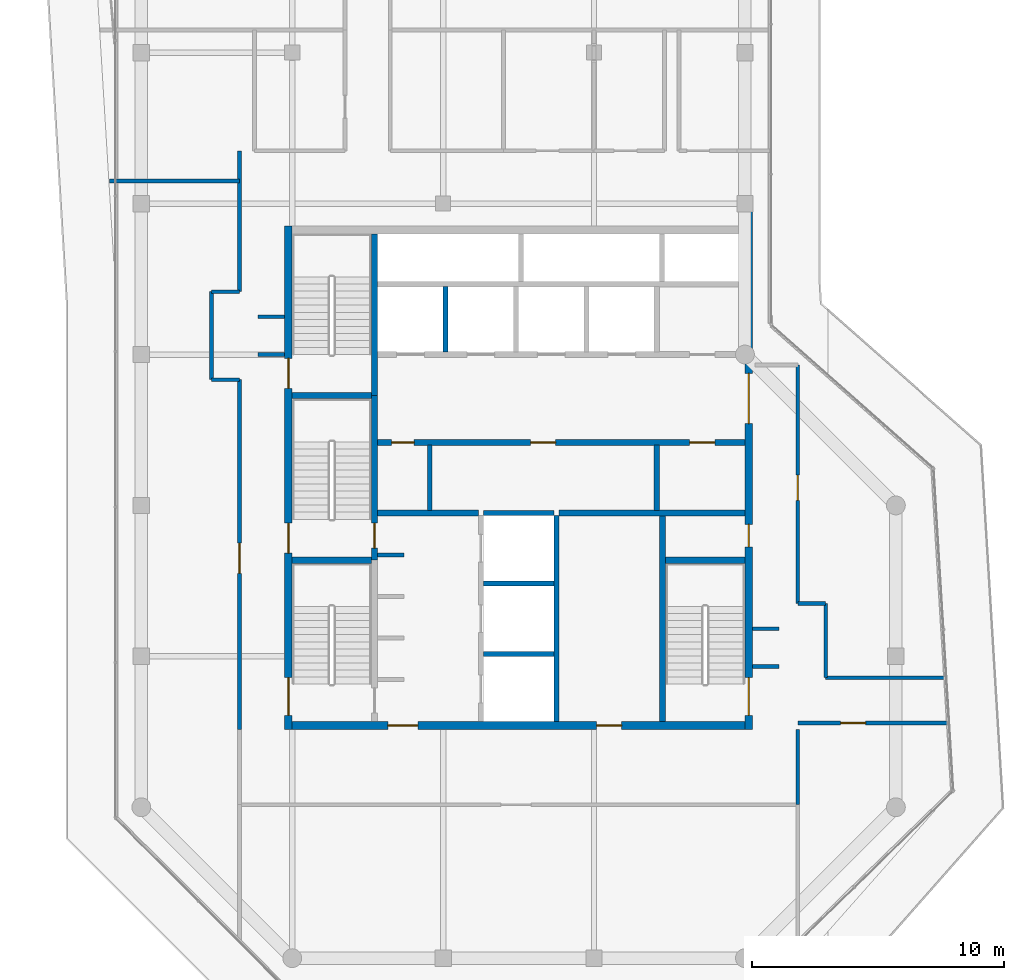
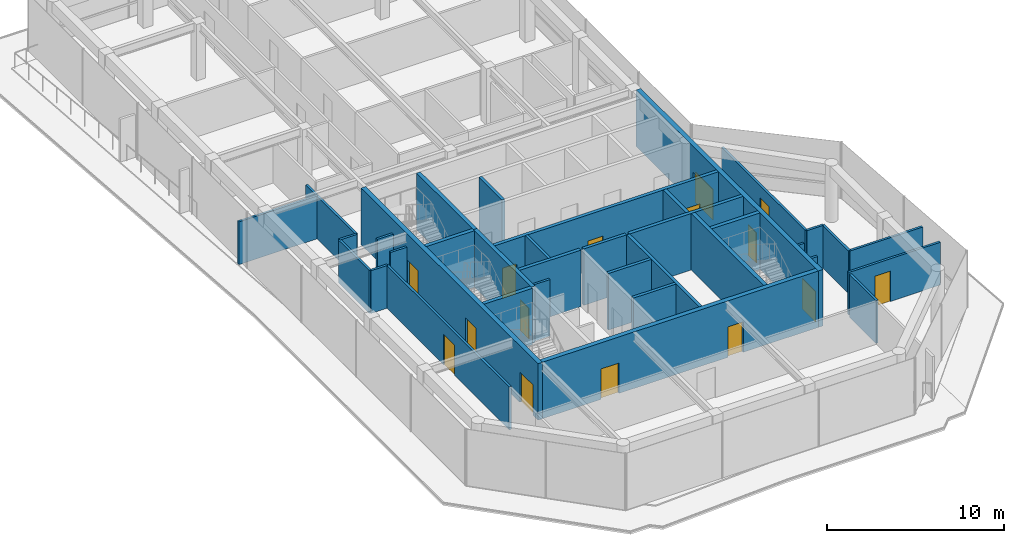
# One storey, part 18 of 22: 36 walls, 15 doors, 15 openings.
"""IFC4 building model written with IfcOpenShell, lengths in metres."""

from ifc_helpers import new_model, si_unit, direction, frame, frame_2d, origin, place, context, subcontext, project, spatial, rectangle, extrude, material, layer, layer_set, type_object, element, fill, save


model = new_model("IFC4")

# Units and contexts
model_context = context("Model", 3, precision=1e-05, world=origin(), true_north=direction((0.0, 1.0)))
body_context = subcontext(model_context, "Body", "Model", "MODEL_VIEW")
ifc_project = project(units=[si_unit("LENGTHUNIT", "METRE"), si_unit("AREAUNIT", "SQUARE_METRE"), si_unit("VOLUMEUNIT", "CUBIC_METRE"), si_unit("PLANEANGLEUNIT", "RADIAN"), si_unit("MASSUNIT", "GRAM", prefix="KILO")], contexts=[model_context])

# Site, building, storey
site_placement = place(None, origin())
site = spatial("IfcSite", under=ifc_project, at=site_placement, CompositionType="ELEMENT")
building_placement = place(site_placement, origin())
building = spatial("IfcBuilding", under=site, at=building_placement, Name="Welwitschia Terrace Campus", CompositionType="ELEMENT")
storey_placement = place(building_placement, frame((0.0, 0.0, 318.800048828125)))
storey = spatial("IfcBuildingStorey", under=building, at=storey_placement, Name="L71", CompositionType="ELEMENT", Elevation=318.800048828125)

# Walls
ifc_material_1 = material(Name="Concrete C32/40", Category="concrete")
ifc_layer_1 = layer(ifc_material_1, 0.175048828125)
ifc_layer_set_1 = layer_set([ifc_layer_1], Name="Concrete C32/40")
wall_type_1 = type_object("IfcWallType", Name="Core partition 175 Concrete C32/40", PredefinedType="PARTITIONING", material=ifc_layer_set_1)
wall_1_placement = place(storey_placement, frame((11.47509765625, 13.800048828125, 0.0), z_axis=(0.0, 0.0, 1.0), x_axis=(0.0, 1.0, 0.0)))
element("IfcWall", 1, at=wall_1_placement, inside=storey, type_object=wall_type_1, Name="Core partition", PredefinedType="PARTITIONING", context=body_context, shape_type="SweptSolid", body=[
    extrude(rectangle(XDim=2.599853515625, YDim=0.175048828125, at=frame_2d((1.2998046875, 0.0))), origin(), (0.0, 0.0, 1.0), 3.89990234375),
])
ifc_material_2 = material(Name="Concrete C32/40", Category="concrete")
ifc_layer_2 = layer(ifc_material_2, 0.22509765625)
ifc_layer_set_2 = layer_set([ifc_layer_2], Name="Concrete C32/40")
wall_type_2 = type_object("IfcWallType", Name="Core partition 225 Concrete C32/40", PredefinedType="PARTITIONING", material=ifc_layer_set_2)
wall_2_placement = place(storey_placement, frame((9.39990234375, 13.699951171875, 0.0), z_axis=(0.0, 0.0, 1.0), x_axis=(1.0, 0.0, 0.0)))
element("IfcWall", 2, at=wall_2_placement, inside=storey, type_object=wall_type_2, Name="Core partition", PredefinedType="PARTITIONING", context=body_context, shape_type="SweptSolid", body=[
    extrude(rectangle(XDim=4.0, YDim=0.22509765625, at=frame_2d((2.0, 0.0))), origin(), (0.0, 0.0, 1.0), 3.89990234375),
])
wall_3_placement = place(storey_placement, frame((16.60009765625, 13.699951171875, 0.0), z_axis=(0.0, 0.0, 1.0), x_axis=(1.0, 0.0, 0.0)))
element("IfcWall", 3, at=wall_3_placement, inside=storey, type_object=wall_type_2, Name="Core partition", PredefinedType="PARTITIONING", context=body_context, shape_type="SweptSolid", body=[
    extrude(rectangle(XDim=7.39990234375, YDim=0.22509765625, at=frame_2d((3.699951171875, 0.0))), origin(), (0.0, 0.0, 1.0), 3.89990234375),
])

# Wall, openings, doors
wall_4_placement = place(storey_placement, frame((9.39990234375, 16.5, 0.0), z_axis=(0.0, 0.0, 1.0), x_axis=(1.0, 0.0, 0.0)))
wall_4 = element("IfcWall", 4, at=wall_4_placement, inside=storey, type_object=wall_type_2, Name="Core partition", PredefinedType="PARTITIONING", context=body_context, shape_type="SweptSolid", body=[
    extrude(rectangle(XDim=14.60009765625, YDim=0.22509765625, at=frame_2d((7.300048828125, 0.0))), origin(), (0.0, 0.0, 1.0), 3.89990234375),
])
opening_1_placement = place(wall_4_placement, frame((0.550048828125, 0.0, 0.0)))
opening_1 = element("IfcOpeningElement", 5, at=opening_1_placement, cuts=wall_4, Name="Opening DR09", PredefinedType="OPENING", context=body_context, shape_type="SweptSolid", body=[
    extrude(rectangle(XDim=0.89990234375, YDim=2.10009765625, at=frame_2d((0.449951171875, 1.050048828125))), frame((0.0, 0.12255859375, 0.0), z_axis=(0.0, -1.0, 0.0), x_axis=(1.0, 0.0, 0.0)), (0.0, 0.0, 1.0), 0.2451171875),
])
opening_2_placement = place(wall_4_placement, frame((6.074951171875, 0.0, 0.0)))
opening_2 = element("IfcOpeningElement", 6, at=opening_2_placement, cuts=wall_4, Name="Opening DR10", PredefinedType="OPENING", context=body_context, shape_type="SweptSolid", body=[
    extrude(rectangle(XDim=1.0, YDim=2.10009765625, at=frame_2d((0.5, 1.050048828125))), frame((0.0, 0.12255859375, 0.0), z_axis=(0.0, -1.0, 0.0), x_axis=(1.0, 0.0, 0.0)), (0.0, 0.0, 1.0), 0.2451171875),
])
opening_3_placement = place(wall_4_placement, frame((12.39990234375, 0.0, 0.0)))
opening_3 = element("IfcOpeningElement", 7, at=opening_3_placement, cuts=wall_4, Name="Opening DR10", PredefinedType="OPENING", context=body_context, shape_type="SweptSolid", body=[
    extrude(rectangle(XDim=1.0, YDim=2.10009765625, at=frame_2d((0.5, 1.050048828125))), frame((0.0, 0.12255859375, 0.0), z_axis=(0.0, -1.0, 0.0), x_axis=(1.0, 0.0, 0.0)), (0.0, 0.0, 1.0), 0.2451171875),
])
ifc_material_3 = material(Name="Steel S275", Category="steel")
door_type_1 = type_object("IfcDoorType", Name="Core door DR09", OperationType="SINGLE_SWING_LEFT", PredefinedType="DOOR", material=ifc_material_3)
door_1_placement = place(opening_1_placement, origin())
door_1 = element("IfcDoor", 8, at=door_1_placement, inside=storey, type_object=door_type_1, Name="Door BAYL1-D", OperationType="SINGLE_SWING_LEFT", OverallHeight=2.10009765625, OverallWidth=0.89990234375, PredefinedType="DOOR", context=body_context, shape_type="SweptSolid", body=[
    extrude(rectangle(XDim=0.89990234375, YDim=2.10009765625, at=frame_2d((0.449951171875, 1.050048828125))), frame((0.0, 0.02490234375, 0.0), z_axis=(0.0, -1.0, 0.0), x_axis=(1.0, 0.0, 0.0)), (0.0, 0.0, 1.0), 0.050048828125),
])
fill(opening_1, door_1)
ifc_material_4 = material(Name="Steel S275", Category="steel")
door_type_2 = type_object("IfcDoorType", Name="Core door DR10", OperationType="SINGLE_SWING_LEFT", PredefinedType="DOOR", material=ifc_material_4)
door_2_placement = place(opening_2_placement, origin())
door_2 = element("IfcDoor", 9, at=door_2_placement, inside=storey, type_object=door_type_2, Name="Door BAYL2-D", OperationType="SINGLE_SWING_LEFT", OverallHeight=2.10009765625, OverallWidth=1.0, PredefinedType="DOOR", context=body_context, shape_type="SweptSolid", body=[
    extrude(rectangle(XDim=1.0, YDim=2.10009765625, at=frame_2d((0.5, 1.050048828125))), frame((0.0, 0.02490234375, 0.0), z_axis=(0.0, -1.0, 0.0), x_axis=(1.0, 0.0, 0.0)), (0.0, 0.0, 1.0), 0.050048828125),
])
fill(opening_2, door_2)
door_3_placement = place(opening_3_placement, origin())
door_3 = element("IfcDoor", 10, at=door_3_placement, inside=storey, type_object=door_type_2, Name="Door EL-D", OperationType="SINGLE_SWING_RIGHT", OverallHeight=2.10009765625, OverallWidth=1.0, PredefinedType="DOOR", context=body_context, shape_type="SweptSolid", body=[
    extrude(rectangle(XDim=1.0, YDim=2.10009765625, at=frame_2d((0.5, 1.050048828125))), frame((0.0, 0.02490234375, 0.0), z_axis=(0.0, -1.0, 0.0), x_axis=(1.0, 0.0, 0.0)), (0.0, 0.0, 1.0), 0.050048828125),
])
fill(opening_3, door_3)

# Walls
wall_5_placement = place(storey_placement, frame((20.5, 13.800048828125, 0.0), z_axis=(0.0, 0.0, 1.0), x_axis=(0.0, 1.0, 0.0)))
element("IfcWall", 11, at=wall_5_placement, inside=storey, type_object=wall_type_2, Name="Core partition", PredefinedType="PARTITIONING", context=body_context, shape_type="SweptSolid", body=[
    extrude(rectangle(XDim=2.599853515625, YDim=0.22509765625, at=frame_2d((1.2998046875, 0.0))), origin(), (0.0, 0.0, 1.0), 3.89990234375),
])
ifc_material_5 = material(Name="Concrete C50/60", Category="concrete")
ifc_layer_3 = layer(ifc_material_5, 0.14990234375)
ifc_layer_set_3 = layer_set([ifc_layer_3], Name="Concrete C50/60")
wall_type_3 = type_object("IfcWallType", Name="Core wall 150 Concrete C50/60", PredefinedType="SHEAR", material=ifc_layer_set_3)
wall_6_placement = place(storey_placement, frame((9.39990234375, 12.02490234375, 0.0), z_axis=(0.0, 0.0, 1.0), x_axis=(1.0, 0.0, 0.0)))
element("IfcWall", 12, at=wall_6_placement, inside=storey, type_object=wall_type_3, Name="Core wall", PredefinedType="SHEAR", context=body_context, shape_type="SweptSolid", body=[
    extrude(rectangle(XDim=1.050048828125, YDim=0.14990234375, at=frame_2d((0.52490234375, 0.0))), origin(), (0.0, 0.0, 1.0), 3.89990234375),
])
ifc_material_6 = material(Name="Concrete C50/60", Category="concrete")
ifc_layer_4 = layer(ifc_material_6, 0.199951171875)
ifc_layer_set_4 = layer_set([ifc_layer_4], Name="Concrete C50/60")
wall_type_4 = type_object("IfcWallType", Name="Core wall 200 Concrete C50/60", PredefinedType="SHEAR", material=ifc_layer_set_4)
for number, where, z_axis, x_axis, name in (
    (13, (13.60009765625, 8.10009765625, 0.0), (0.0, 0.0, 1.0), (1.0, 0.0, 0.0), "Core wall"),
    (14, (13.60009765625, 10.89990234375, 0.0), (0.0, 0.0, 1.0), (1.0, 0.0, 0.0), "Core wall"),
    (15, (13.60009765625, 13.699951171875, 0.0), (0.0, 0.0, 1.0), (1.0, 0.0, 0.0), "Core wall"),
):
    element("IfcWall", number, at=place(storey_placement, frame(where, z_axis=z_axis, x_axis=x_axis)), inside=storey, type_object=wall_type_4, Name=name, PredefinedType="SHEAR", context=body_context, shape_type="SweptSolid", body=[
        extrude(rectangle(XDim=2.7998046875, YDim=0.199951171875, at=frame_2d((1.39990234375, 0.0))), origin(), (0.0, 0.0, 1.0), 3.89990234375),
    ])
wall_7_placement = place(storey_placement, frame((16.5, 5.39990234375, 0.0), z_axis=(0.0, 0.0, 1.0), x_axis=(0.0, 1.0, 0.0)))
element("IfcWall", 16, at=wall_7_placement, inside=storey, type_object=wall_type_4, Name="Core wall", PredefinedType="SHEAR", context=body_context, shape_type="SweptSolid", body=[
    extrude(rectangle(XDim=8.2001953125, YDim=0.199951171875, at=frame_2d((4.10009765625, 0.0))), origin(), (0.0, 0.0, 1.0), 3.89990234375),
])
ifc_material_7 = material(Name="Concrete C50/60", Category="concrete")
ifc_layer_5 = layer(ifc_material_7, 0.25)
ifc_layer_set_5 = layer_set([ifc_layer_5], Name="Concrete C50/60")
wall_type_5 = type_object("IfcWallType", Name="Core wall 250 Concrete C50/60", PredefinedType="SHEAR", material=ifc_layer_set_5)
for number, where, z_axis, x_axis, name in (
    (17, (6.0, 11.824951171875, 0.0), (0.0, 0.0, 1.0), (1.0, 0.0, 0.0), "Core wall"),
    (18, (20.85009765625, 11.824951171875, 0.0), (0.0, 0.0, 1.0), (1.0, 0.0, 0.0), "Core wall"),
    (19, (6.0, 18.375, 0.0), (0.0, 0.0, 1.0), (1.0, 0.0, 0.0), "Core wall"),
):
    element("IfcWall", number, at=place(storey_placement, frame(where, z_axis=z_axis, x_axis=x_axis)), inside=storey, type_object=wall_type_5, Name=name, PredefinedType="SHEAR", context=body_context, shape_type="SweptSolid", body=[
        extrude(rectangle(XDim=3.14990234375, YDim=0.25, at=frame_2d((1.574951171875, 0.0))), origin(), (0.0, 0.0, 1.0), 3.89990234375),
    ])

# Wall, opening, door
wall_8_placement = place(storey_placement, frame((9.27490234375, 18.375, 0.0), z_axis=(0.0, 0.0, 1.0), x_axis=(0.0, -1.0, 0.0)))
wall_8 = element("IfcWall", 20, at=wall_8_placement, inside=storey, type_object=wall_type_5, Name="Core wall", PredefinedType="SHEAR", context=body_context, shape_type="SweptSolid", body=[
    extrude(rectangle(XDim=6.550048828125, YDim=0.25, at=frame_2d((3.27490234375, 0.0))), origin(), (0.0, 0.0, 1.0), 3.89990234375),
])
opening_4_placement = place(wall_8_placement, frame((5.074951171875, 0.0, 0.0)))
opening_4 = element("IfcOpeningElement", 21, at=opening_4_placement, cuts=wall_8, Name="Opening DS10", PredefinedType="OPENING", context=body_context, shape_type="SweptSolid", body=[
    extrude(rectangle(XDim=1.0, YDim=2.10009765625, at=frame_2d((0.5, 1.050048828125))), frame((0.0, 0.135009765625, 0.0), z_axis=(0.0, -1.0, 0.0), x_axis=(1.0, 0.0, 0.0)), (0.0, 0.0, 1.0), 0.27001953125),
])
ifc_material_8 = material(Name="Steel S275", Category="steel")
door_type_3 = type_object("IfcDoorType", Name="Core door DS10", OperationType="SINGLE_SWING_LEFT", PredefinedType="DOOR", material=ifc_material_8)
door_4_placement = place(opening_4_placement, origin())
door_4 = element("IfcDoor", 22, at=door_4_placement, inside=storey, type_object=door_type_3, Name="Door S3-FL", OperationType="SINGLE_SWING_RIGHT", OverallHeight=2.10009765625, OverallWidth=1.0, PredefinedType="DOOR", context=body_context, shape_type="SweptSolid", body=[
    extrude(rectangle(XDim=1.0, YDim=2.10009765625, at=frame_2d((0.5, 1.050048828125))), frame((0.0, 0.02490234375, 0.0), z_axis=(0.0, -1.0, 0.0), x_axis=(1.0, 0.0, 0.0)), (0.0, 0.0, 1.0), 0.050048828125),
])
fill(opening_4, door_4)

# Walls
wall_9_placement = place(storey_placement, frame((9.27490234375, 18.375, 0.0), z_axis=(0.0, 0.0, 1.0), x_axis=(0.0, 1.0, 0.0)))
element("IfcWall", 23, at=wall_9_placement, inside=storey, type_object=wall_type_5, Name="Core wall", PredefinedType="SHEAR", context=body_context, shape_type="SweptSolid", body=[
    extrude(rectangle(XDim=6.425048828125, YDim=0.25, at=frame_2d((3.21240234375, 0.0))), origin(), (0.0, 0.0, 1.0), 3.89990234375),
])
wall_10_placement = place(storey_placement, frame((20.72509765625, 5.39990234375, 0.0), z_axis=(0.0, 0.0, 1.0), x_axis=(0.0, 1.0, 0.0)))
element("IfcWall", 24, at=wall_10_placement, inside=storey, type_object=wall_type_5, Name="Core wall", PredefinedType="SHEAR", context=body_context, shape_type="SweptSolid", body=[
    extrude(rectangle(XDim=8.2001953125, YDim=0.25, at=frame_2d((4.10009765625, 0.0))), origin(), (0.0, 0.0, 1.0), 3.89990234375),
])

# Wall, openings, doors
ifc_material_9 = material(Name="Concrete C50/60", Category="concrete")
ifc_layer_6 = layer(ifc_material_9, 0.300048828125)
ifc_layer_set_6 = layer_set([ifc_layer_6], Name="Concrete C50/60")
wall_type_6 = type_object("IfcWallType", Name="Core wall 300 Concrete C50/60", PredefinedType="SHEAR", material=ifc_layer_set_6)
wall_11_placement = place(storey_placement, frame((5.85009765625, 5.10009765625, 0.0), z_axis=(0.0, 0.0, 1.0), x_axis=(0.0, 1.0, 0.0)))
wall_11 = element("IfcWall", 25, at=wall_11_placement, inside=storey, type_object=wall_type_6, Name="Core outer wall", PredefinedType="SHEAR", context=body_context, shape_type="SweptSolid", body=[
    extrude(rectangle(XDim=20.0, YDim=0.300048828125, at=frame_2d((10.0, 0.0))), origin(), (0.0, 0.0, 1.0), 3.89990234375),
])
opening_5_placement = place(wall_11_placement, frame((0.550048828125, 0.0, 0.0)))
opening_5 = element("IfcOpeningElement", 26, at=opening_5_placement, cuts=wall_11, Name="Opening DS15", PredefinedType="OPENING", context=body_context, shape_type="SweptSolid", body=[
    extrude(rectangle(XDim=1.5, YDim=2.10009765625, at=frame_2d((0.75, 1.050048828125))), frame((0.0, 0.159912109375, 0.0), z_axis=(0.0, -1.0, 0.0), x_axis=(1.0, 0.0, 0.0)), (0.0, 0.0, 1.0), 0.320068359375),
])
opening_6_placement = place(wall_11_placement, frame((7.0, 0.0, 0.0)))
opening_6 = element("IfcOpeningElement", 27, at=opening_6_placement, cuts=wall_11, Name="Opening DS12", PredefinedType="OPENING", context=body_context, shape_type="SweptSolid", body=[
    extrude(rectangle(XDim=1.199951171875, YDim=2.10009765625, at=frame_2d((0.60009765625, 1.050048828125))), frame((0.0, 0.159912109375, 0.0), z_axis=(0.0, -1.0, 0.0), x_axis=(1.0, 0.0, 0.0)), (0.0, 0.0, 1.0), 0.320068359375),
])
opening_7_placement = place(wall_11_placement, frame((13.550048828125, 0.0, 0.0)))
opening_7 = element("IfcOpeningElement", 28, at=opening_7_placement, cuts=wall_11, Name="Opening DS12", PredefinedType="OPENING", context=body_context, shape_type="SweptSolid", body=[
    extrude(rectangle(XDim=1.199951171875, YDim=2.10009765625, at=frame_2d((0.60009765625, 1.050048828125))), frame((0.0, 0.159912109375, 0.0), z_axis=(0.0, -1.0, 0.0), x_axis=(1.0, 0.0, 0.0)), (0.0, 0.0, 1.0), 0.320068359375),
])
ifc_material_10 = material(Name="Steel S275", Category="steel")
door_type_4 = type_object("IfcDoorType", Name="Core door DS12", OperationType="SINGLE_SWING_LEFT", PredefinedType="DOOR", material=ifc_material_10)
door_5_placement = place(opening_6_placement, origin())
door_5 = element("IfcDoor", 29, at=door_5_placement, inside=storey, type_object=door_type_4, Name="Door S3-out", OperationType="SINGLE_SWING_LEFT", OverallHeight=2.10009765625, OverallWidth=1.199951171875, PredefinedType="DOOR", context=body_context, shape_type="SweptSolid", body=[
    extrude(rectangle(XDim=1.199951171875, YDim=2.10009765625, at=frame_2d((0.60009765625, 1.050048828125))), frame((0.0, 0.02490234375, 0.0), z_axis=(0.0, -1.0, 0.0), x_axis=(1.0, 0.0, 0.0)), (0.0, 0.0, 1.0), 0.050048828125),
])
fill(opening_6, door_5)
door_6_placement = place(opening_7_placement, origin())
door_6 = element("IfcDoor", 30, at=door_6_placement, inside=storey, type_object=door_type_4, Name="Door S4-out", OperationType="SINGLE_SWING_RIGHT", OverallHeight=2.10009765625, OverallWidth=1.199951171875, PredefinedType="DOOR", context=body_context, shape_type="SweptSolid", body=[
    extrude(rectangle(XDim=1.199951171875, YDim=2.10009765625, at=frame_2d((0.60009765625, 1.050048828125))), frame((0.0, 0.02490234375, 0.0), z_axis=(0.0, -1.0, 0.0), x_axis=(1.0, 0.0, 0.0)), (0.0, 0.0, 1.0), 0.050048828125),
])
fill(opening_7, door_6)
ifc_material_11 = material(Name="Steel S275", Category="steel")
door_type_5 = type_object("IfcDoorType", Name="Core door DS15", OperationType="DOUBLE_DOOR_SINGLE_SWING", PredefinedType="DOOR", material=ifc_material_11)
door_7_placement = place(opening_5_placement, origin())
door_7 = element("IfcDoor", 31, at=door_7_placement, inside=storey, type_object=door_type_5, Name="Door S1-out", OperationType="DOUBLE_DOOR_SINGLE_SWING", OverallHeight=2.10009765625, OverallWidth=1.5, PredefinedType="DOOR", context=body_context, shape_type="SweptSolid", body=[
    extrude(rectangle(XDim=1.5, YDim=2.10009765625, at=frame_2d((0.75, 1.050048828125))), frame((0.0, 0.02490234375, 0.0), z_axis=(0.0, -1.0, 0.0), x_axis=(1.0, 0.0, 0.0)), (0.0, 0.0, 1.0), 0.050048828125),
])
fill(opening_5, door_7)

wall_12_placement = place(storey_placement, frame((24.14990234375, 25.705078125, 0.0), z_axis=(0.0, 0.0, 1.0), x_axis=(0.0, -1.0, 0.0)))
wall_12 = element("IfcWall", 32, at=wall_12_placement, inside=storey, type_object=wall_type_6, Name="Core outer wall", PredefinedType="SHEAR", context=body_context, shape_type="SweptSolid", body=[
    extrude(rectangle(XDim=20.60498046875, YDim=0.300048828125, at=frame_2d((10.302490234375, 0.0))), origin(), (0.0, 0.0, 1.0), 3.89990234375),
])
opening_8_placement = place(wall_12_placement, frame((18.554931640625, 0.0, 0.0)))
opening_8 = element("IfcOpeningElement", 33, at=opening_8_placement, cuts=wall_12, Name="Opening DS15", PredefinedType="OPENING", context=body_context, shape_type="SweptSolid", body=[
    extrude(rectangle(XDim=1.5, YDim=2.10009765625, at=frame_2d((0.75, 1.050048828125))), frame((0.0, 0.159912109375, 0.0), z_axis=(0.0, -1.0, 0.0), x_axis=(1.0, 0.0, 0.0)), (0.0, 0.0, 1.0), 0.320068359375),
])
opening_9_placement = place(wall_12_placement, frame((12.455078125, 0.0, 0.0)))
opening_9 = element("IfcOpeningElement", 34, at=opening_9_placement, cuts=wall_12, Name="Opening DR09", PredefinedType="OPENING", context=body_context, shape_type="SweptSolid", body=[
    extrude(rectangle(XDim=0.89990234375, YDim=2.10009765625, at=frame_2d((0.449951171875, 1.050048828125))), frame((0.0, 0.159912109375, 0.0), z_axis=(0.0, -1.0, 0.0), x_axis=(1.0, 0.0, 0.0)), (0.0, 0.0, 1.0), 0.320068359375),
])
opening_10_placement = place(wall_12_placement, frame((6.455078125, 0.0, 0.0)))
opening_10 = element("IfcOpeningElement", 35, at=opening_10_placement, cuts=wall_12, Name="Opening DL20", PredefinedType="OPENING", context=body_context, shape_type="SweptSolid", body=[
    extrude(rectangle(XDim=2.0, YDim=2.10009765625, at=frame_2d((1.0, 1.050048828125))), frame((0.0, 0.159912109375, 0.0), z_axis=(0.0, -1.0, 0.0), x_axis=(1.0, 0.0, 0.0)), (0.0, 0.0, 1.0), 0.320068359375),
])
ifc_material_12 = material(Name="Steel S275", Category="steel")
door_type_6 = type_object("IfcDoorType", Name="Core door DL20", OperationType="DOUBLE_DOOR_SINGLE_SWING", PredefinedType="DOOR", material=ifc_material_12)
door_8_placement = place(opening_10_placement, origin())
door_8 = element("IfcDoor", 36, at=door_8_placement, inside=storey, type_object=door_type_6, Name="Door LOBBY-out", OperationType="DOUBLE_DOOR_SINGLE_SWING", OverallHeight=2.10009765625, OverallWidth=2.0, PredefinedType="DOOR", context=body_context, shape_type="SweptSolid", body=[
    extrude(rectangle(XDim=2.0, YDim=2.10009765625, at=frame_2d((1.0, 1.050048828125))), frame((0.0, 0.02490234375, 0.0), z_axis=(0.0, -1.0, 0.0), x_axis=(1.0, 0.0, 0.0)), (0.0, 0.0, 1.0), 0.050048828125),
])
fill(opening_10, door_8)
door_9_placement = place(opening_9_placement, origin())
door_9 = element("IfcDoor", 37, at=door_9_placement, inside=storey, type_object=door_type_1, Name="Door F1B-out", OperationType="SINGLE_SWING_RIGHT", OverallHeight=2.10009765625, OverallWidth=0.89990234375, PredefinedType="DOOR", context=body_context, shape_type="SweptSolid", body=[
    extrude(rectangle(XDim=0.89990234375, YDim=2.10009765625, at=frame_2d((0.449951171875, 1.050048828125))), frame((0.0, 0.02490234375, 0.0), z_axis=(0.0, -1.0, 0.0), x_axis=(1.0, 0.0, 0.0)), (0.0, 0.0, 1.0), 0.050048828125),
])
fill(opening_9, door_9)
door_10_placement = place(opening_8_placement, origin())
door_10 = element("IfcDoor", 38, at=door_10_placement, inside=storey, type_object=door_type_5, Name="Door S2-out", OperationType="DOUBLE_DOOR_SINGLE_SWING", OverallHeight=2.10009765625, OverallWidth=1.5, PredefinedType="DOOR", context=body_context, shape_type="SweptSolid", body=[
    extrude(rectangle(XDim=1.5, YDim=2.10009765625, at=frame_2d((0.75, 1.050048828125))), frame((0.0, 0.02490234375, 0.0), z_axis=(0.0, -1.0, 0.0), x_axis=(1.0, 0.0, 0.0)), (0.0, 0.0, 1.0), 0.050048828125),
])
fill(opening_8, door_10)

wall_13_placement = place(storey_placement, frame((24.0, 5.25, 0.0), z_axis=(0.0, 0.0, 1.0), x_axis=(-1.0, 0.0, 0.0)))
wall_13 = element("IfcWall", 39, at=wall_13_placement, inside=storey, type_object=wall_type_6, Name="Core outer wall", PredefinedType="SHEAR", context=body_context, shape_type="SweptSolid", body=[
    extrude(rectangle(XDim=18.0, YDim=0.300048828125, at=frame_2d((9.0, 0.0))), origin(), (0.0, 0.0, 1.0), 3.89990234375),
])
opening_11_placement = place(wall_13_placement, frame((13.0, 0.0, 0.0)))
opening_11 = element("IfcOpeningElement", 40, at=opening_11_placement, cuts=wall_13, Name="Opening DF12", PredefinedType="OPENING", context=body_context, shape_type="SweptSolid", body=[
    extrude(rectangle(XDim=1.199951171875, YDim=2.10009765625, at=frame_2d((0.60009765625, 1.050048828125))), frame((0.0, 0.159912109375, 0.0), z_axis=(0.0, -1.0, 0.0), x_axis=(1.0, 0.0, 0.0)), (0.0, 0.0, 1.0), 0.320068359375),
])
opening_12_placement = place(wall_13_placement, frame((4.89990234375, 0.0, 0.0)))
opening_12 = element("IfcOpeningElement", 41, at=opening_12_placement, cuts=wall_13, Name="Opening DR10", PredefinedType="OPENING", context=body_context, shape_type="SweptSolid", body=[
    extrude(rectangle(XDim=1.0, YDim=2.10009765625, at=frame_2d((0.5, 1.050048828125))), frame((0.0, 0.159912109375, 0.0), z_axis=(0.0, -1.0, 0.0), x_axis=(1.0, 0.0, 0.0)), (0.0, 0.0, 1.0), 0.320068359375),
])
ifc_material_13 = material(Name="Steel S275", Category="steel")
door_type_7 = type_object("IfcDoorType", Name="Core door DF12", OperationType="SINGLE_SWING_LEFT", PredefinedType="DOOR", material=ifc_material_13)
door_11_placement = place(opening_11_placement, origin())
door_11 = element("IfcDoor", 42, at=door_11_placement, inside=storey, type_object=door_type_7, Name="Door FL-out", OperationType="SINGLE_SWING_RIGHT", OverallHeight=2.10009765625, OverallWidth=1.199951171875, PredefinedType="DOOR", context=body_context, shape_type="SweptSolid", body=[
    extrude(rectangle(XDim=1.199951171875, YDim=2.10009765625, at=frame_2d((0.60009765625, 1.050048828125))), frame((0.0, 0.02490234375, 0.0), z_axis=(0.0, -1.0, 0.0), x_axis=(1.0, 0.0, 0.0)), (0.0, 0.0, 1.0), 0.050048828125),
])
fill(opening_11, door_11)
door_12_placement = place(opening_12_placement, origin())
door_12 = element("IfcDoor", 43, at=door_12_placement, inside=storey, type_object=door_type_2, Name="Door F1-out", OperationType="SINGLE_SWING_LEFT", OverallHeight=2.10009765625, OverallWidth=1.0, PredefinedType="DOOR", context=body_context, shape_type="SweptSolid", body=[
    extrude(rectangle(XDim=1.0, YDim=2.10009765625, at=frame_2d((0.5, 1.050048828125))), frame((0.0, 0.02490234375, 0.0), z_axis=(0.0, -1.0, 0.0), x_axis=(1.0, 0.0, 0.0)), (0.0, 0.0, 1.0), 0.050048828125),
])
fill(opening_12, door_12)

# Walls
ifc_material_14 = material(Name="Gypsum board on steel studs", Category="steel")
ifc_layer_7 = layer(ifc_material_14, 0.14990234375)
ifc_layer_set_7 = layer_set([ifc_layer_7], Name="Gypsum board on steel studs")
wall_type_7 = type_object("IfcWallType", Name="Corridor partition 150 EI 30", PredefinedType="PARTITIONING", material=ifc_layer_set_7)
wall_14_placement = place(storey_placement, frame((-1.27001953125, 26.89990234375, 0.0), z_axis=(0.0, 0.0, 1.0), x_axis=(1.0, 0.0, 0.0)))
element("IfcWall", 44, at=wall_14_placement, inside=storey, type_object=wall_type_7, Name="Partition", PredefinedType="PARTITIONING", context=body_context, shape_type="SweptSolid", body=[
    extrude(rectangle(XDim=5.169921875, YDim=0.14990234375, at=frame_2d((2.5849609375, 0.0))), origin(), (0.0, 0.0, 1.0), 2.949951171875),
])
wall_15_placement = place(storey_placement, frame((2.7900390625, 19.0, 0.0), z_axis=(0.0, 0.0, 1.0), x_axis=(0.0, 1.0, 0.0)))
element("IfcWall", 45, at=wall_15_placement, inside=storey, type_object=wall_type_7, Name="Partition", PredefinedType="PARTITIONING", context=body_context, shape_type="SweptSolid", body=[
    extrude(rectangle(XDim=3.5, YDim=0.14990234375, at=frame_2d((1.75, 0.0))), origin(), (0.0, 0.0, 1.0), 2.949951171875),
])
for number, where, z_axis, x_axis, name in (
    (46, (2.7900390625, 19.0, 0.0), (0.0, 0.0, 1.0), (1.0, 0.0, 0.0), "Partition"),
    (47, (2.7900390625, 22.5, 0.0), (0.0, 0.0, 1.0), (1.0, 0.0, 0.0), "Partition"),
):
    element("IfcWall", number, at=place(storey_placement, frame(where, z_axis=z_axis, x_axis=x_axis)), inside=storey, type_object=wall_type_7, Name=name, PredefinedType="PARTITIONING", context=body_context, shape_type="SweptSolid", body=[
        extrude(rectangle(XDim=1.10986328125, YDim=0.14990234375, at=frame_2d((0.554931640625, 0.0))), origin(), (0.0, 0.0, 1.0), 2.949951171875),
    ])

# Wall, opening, door
wall_16_placement = place(storey_placement, frame((3.89990234375, 5.10009765625, 0.0), z_axis=(0.0, 0.0, 1.0), x_axis=(0.0, 1.0, 0.0)))
wall_16 = element("IfcWall", 48, at=wall_16_placement, inside=storey, type_object=wall_type_7, Name="Partition", PredefinedType="PARTITIONING", context=body_context, shape_type="SweptSolid", body=[
    extrude(rectangle(XDim=13.89990234375, YDim=0.14990234375, at=frame_2d((6.949951171875, 0.0))), origin(), (0.0, 0.0, 1.0), 2.949951171875),
])
opening_13_placement = place(wall_16_placement, frame((6.199951171875, 0.0, 0.0)))
opening_13 = element("IfcOpeningElement", 49, at=opening_13_placement, cuts=wall_16, Name="Opening DI12", PredefinedType="OPENING", context=body_context, shape_type="SweptSolid", body=[
    extrude(rectangle(XDim=1.199951171875, YDim=2.10009765625, at=frame_2d((0.60009765625, 1.050048828125))), frame((0.0, 0.0849609375, 0.0), z_axis=(0.0, -1.0, 0.0), x_axis=(1.0, 0.0, 0.0)), (0.0, 0.0, 1.0), 0.169921875),
])
ifc_material_15 = material(Name="Timber veneered door", Category="wood")
door_type_8 = type_object("IfcDoorType", Name="Interior door DI12", OperationType="NOTDEFINED", PredefinedType="DOOR", material=ifc_material_15)
door_13_placement = place(opening_13_placement, origin())
door_13 = element("IfcDoor", 50, at=door_13_placement, inside=storey, type_object=door_type_8, Name="Door L71 1242", OperationType="SINGLE_SWING_LEFT", OverallHeight=2.10009765625, OverallWidth=1.199951171875, PredefinedType="DOOR", context=body_context, shape_type="SweptSolid", body=[
    extrude(rectangle(XDim=1.199951171875, YDim=2.10009765625, at=frame_2d((0.60009765625, 1.050048828125))), frame((0.0, 0.02490234375, 0.0), z_axis=(0.0, -1.0, 0.0), x_axis=(1.0, 0.0, 0.0)), (0.0, 0.0, 1.0), 0.050048828125),
])
fill(opening_13, door_13)

# Walls
wall_17_placement = place(storey_placement, frame((3.89990234375, 22.5, 0.0), z_axis=(0.0, 0.0, 1.0), x_axis=(0.0, 1.0, 0.0)))
element("IfcWall", 51, at=wall_17_placement, inside=storey, type_object=wall_type_7, Name="Partition", PredefinedType="PARTITIONING", context=body_context, shape_type="SweptSolid", body=[
    extrude(rectangle(XDim=5.60009765625, YDim=0.14990234375, at=frame_2d((2.800048828125, 0.0))), origin(), (0.0, 0.0, 1.0), 2.949951171875),
])
for number, where, z_axis, x_axis, name in (
    (52, (4.64990234375, 20.0, 0.0), (0.0, 0.0, 1.0), (1.0, 0.0, 0.0), "Partition"),
    (53, (4.64990234375, 21.5, 0.0), (0.0, 0.0, 1.0), (1.0, 0.0, 0.0), "Partition"),
    (54, (24.300048828125, 7.60009765625, 0.0), (0.0, 0.0, 1.0), (1.0, 0.0, 0.0), "Partition"),
    (55, (24.300048828125, 9.10009765625, 0.0), (0.0, 0.0, 1.0), (1.0, 0.0, 0.0), "Partition"),
):
    element("IfcWall", number, at=place(storey_placement, frame(where, z_axis=z_axis, x_axis=x_axis)), inside=storey, type_object=wall_type_7, Name=name, PredefinedType="PARTITIONING", context=body_context, shape_type="SweptSolid", body=[
        extrude(rectangle(XDim=1.050048828125, YDim=0.14990234375, at=frame_2d((0.52490234375, 0.0))), origin(), (0.0, 0.0, 1.0), 2.949951171875),
    ])
wall_18_placement = place(storey_placement, frame((26.10009765625, 2.10009765625, 0.0), z_axis=(0.0, 0.0, 1.0), x_axis=(0.0, 1.0, 0.0)))
element("IfcWall", 56, at=wall_18_placement, inside=storey, type_object=wall_type_7, Name="Partition", PredefinedType="PARTITIONING", context=body_context, shape_type="SweptSolid", body=[
    extrude(rectangle(XDim=3.0, YDim=0.14990234375, at=frame_2d((1.5, 0.0))), origin(), (0.0, 0.0, 1.0), 2.949951171875),
])
wall_19_placement = place(storey_placement, frame((26.10009765625, 10.10009765625, 0.0), z_axis=(0.0, 0.0, 1.0), x_axis=(1.0, 0.0, 0.0)))
element("IfcWall", 57, at=wall_19_placement, inside=storey, type_object=wall_type_7, Name="Partition", PredefinedType="PARTITIONING", context=body_context, shape_type="SweptSolid", body=[
    extrude(rectangle(XDim=1.10986328125, YDim=0.14990234375, at=frame_2d((0.554931640625, 0.0))), origin(), (0.0, 0.0, 1.0), 2.949951171875),
])

# Wall, opening, door
wall_20_placement = place(storey_placement, frame((26.10009765625, 19.580078125, 0.0), z_axis=(0.0, 0.0, 1.0), x_axis=(0.0, -1.0, 0.0)))
wall_20 = element("IfcWall", 58, at=wall_20_placement, inside=storey, type_object=wall_type_7, Name="Partition", PredefinedType="PARTITIONING", context=body_context, shape_type="SweptSolid", body=[
    extrude(rectangle(XDim=9.47998046875, YDim=0.14990234375, at=frame_2d((4.739990234375, 0.0))), origin(), (0.0, 0.0, 1.0), 2.949951171875),
])
opening_14_placement = place(wall_20_placement, frame((4.3798828125, 0.0, 0.0)))
opening_14 = element("IfcOpeningElement", 59, at=opening_14_placement, cuts=wall_20, Name="Opening DI10", PredefinedType="OPENING", context=body_context, shape_type="SweptSolid", body=[
    extrude(rectangle(XDim=1.0, YDim=2.10009765625, at=frame_2d((0.5, 1.050048828125))), frame((0.0, 0.0849609375, 0.0), z_axis=(0.0, -1.0, 0.0), x_axis=(1.0, 0.0, 0.0)), (0.0, 0.0, 1.0), 0.169921875),
])
ifc_material_16 = material(Name="Timber veneered door", Category="wood")
door_type_9 = type_object("IfcDoorType", Name="Interior door DI10", OperationType="NOTDEFINED", PredefinedType="DOOR", material=ifc_material_16)
door_14_placement = place(opening_14_placement, origin())
door_14 = element("IfcDoor", 60, at=door_14_placement, inside=storey, type_object=door_type_9, Name="Door L71 1253", OperationType="SINGLE_SWING_RIGHT", OverallHeight=2.10009765625, OverallWidth=1.0, PredefinedType="DOOR", context=body_context, shape_type="SweptSolid", body=[
    extrude(rectangle(XDim=1.0, YDim=2.10009765625, at=frame_2d((0.5, 1.050048828125))), frame((0.0, 0.02490234375, 0.0), z_axis=(0.0, -1.0, 0.0), x_axis=(1.0, 0.0, 0.0)), (0.0, 0.0, 1.0), 0.050048828125),
])
fill(opening_14, door_14)

# Walls
wall_21_placement = place(storey_placement, frame((27.2099609375, 7.14990234375, 0.0), z_axis=(0.0, 0.0, 1.0), x_axis=(0.0, 1.0, 0.0)))
element("IfcWall", 61, at=wall_21_placement, inside=storey, type_object=wall_type_7, Name="Partition", PredefinedType="PARTITIONING", context=body_context, shape_type="SweptSolid", body=[
    extrude(rectangle(XDim=2.9501953125, YDim=0.14990234375, at=frame_2d((1.47509765625, 0.0))), origin(), (0.0, 0.0, 1.0), 2.949951171875),
])
wall_22_placement = place(storey_placement, frame((27.2099609375, 7.14990234375, 0.0), z_axis=(0.0, 0.0, 1.0), x_axis=(1.0, 0.0, 0.0)))
element("IfcWall", 62, at=wall_22_placement, inside=storey, type_object=wall_type_7, Name="Partition", PredefinedType="PARTITIONING", context=body_context, shape_type="SweptSolid", body=[
    extrude(rectangle(XDim=4.75, YDim=0.14990234375, at=frame_2d((2.375, 0.0))), origin(), (0.0, 0.0, 1.0), 2.949951171875),
])

# Wall, opening, door
wall_23_placement = place(storey_placement, frame((32.070068359375, 5.35009765625, 0.0), z_axis=(0.0, 0.0, 1.0), x_axis=(-1.0, 0.0, 0.0)))
wall_23 = element("IfcWall", 63, at=wall_23_placement, inside=storey, type_object=wall_type_7, Name="Partition", PredefinedType="PARTITIONING", context=body_context, shape_type="SweptSolid", body=[
    extrude(rectangle(XDim=5.969970703125, YDim=0.14990234375, at=frame_2d((2.98486328125, 0.0))), origin(), (0.0, 0.0, 1.0), 2.949951171875),
])
opening_15_placement = place(wall_23_placement, frame((3.27001953125, 0.0, 0.0)))
opening_15 = element("IfcOpeningElement", 64, at=opening_15_placement, cuts=wall_23, Name="Opening DI10", PredefinedType="OPENING", context=body_context, shape_type="SweptSolid", body=[
    extrude(rectangle(XDim=1.0, YDim=2.10009765625, at=frame_2d((0.5, 1.050048828125))), frame((0.0, 0.0849609375, 0.0), z_axis=(0.0, -1.0, 0.0), x_axis=(1.0, 0.0, 0.0)), (0.0, 0.0, 1.0), 0.169921875),
])
door_15_placement = place(opening_15_placement, origin())
door_15 = element("IfcDoor", 65, at=door_15_placement, inside=storey, type_object=door_type_9, Name="Door L71 1254", OperationType="SINGLE_SWING_LEFT", OverallHeight=2.10009765625, OverallWidth=1.0, PredefinedType="DOOR", context=body_context, shape_type="SweptSolid", body=[
    extrude(rectangle(XDim=1.0, YDim=2.10009765625, at=frame_2d((0.5, 1.050048828125))), frame((0.0, 0.02490234375, 0.0), z_axis=(0.0, -1.0, 0.0), x_axis=(1.0, 0.0, 0.0)), (0.0, 0.0, 1.0), 0.050048828125),
])
fill(opening_15, door_15)

# Wall
ifc_material_17 = material(Name="Concrete C32/40", Category="concrete")
ifc_layer_8 = layer(ifc_material_17, 0.199951171875)
ifc_layer_set_8 = layer_set([ifc_layer_8], Name="Concrete C32/40")
wall_type_8 = type_object("IfcWallType", Name="Shaft wall 200 Concrete C32/40", PredefinedType="SOLIDWALL", material=ifc_layer_set_8)
wall_24_placement = place(storey_placement, frame((12.10009765625, 20.10009765625, 0.0), z_axis=(0.0, 0.0, 1.0), x_axis=(0.0, 1.0, 0.0)))
element("IfcWall", 66, at=wall_24_placement, inside=storey, type_object=wall_type_8, Name="Shaft wall", PredefinedType="SOLIDWALL", context=body_context, shape_type="SweptSolid", body=[
    extrude(rectangle(XDim=2.599853515625, YDim=0.199951171875, at=frame_2d((1.2998046875, 0.0))), origin(), (0.0, 0.0, 1.0), 3.89990234375),
])

save(model, "model.ifc")
